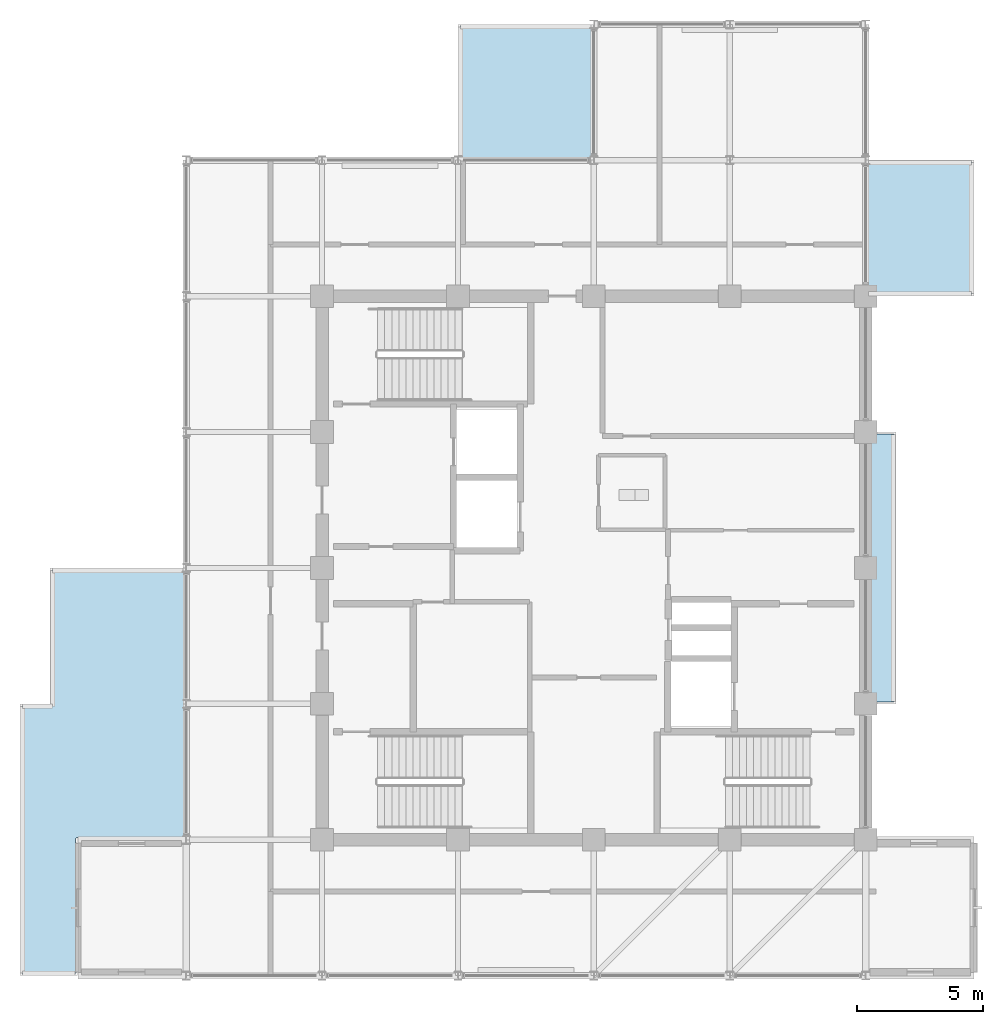
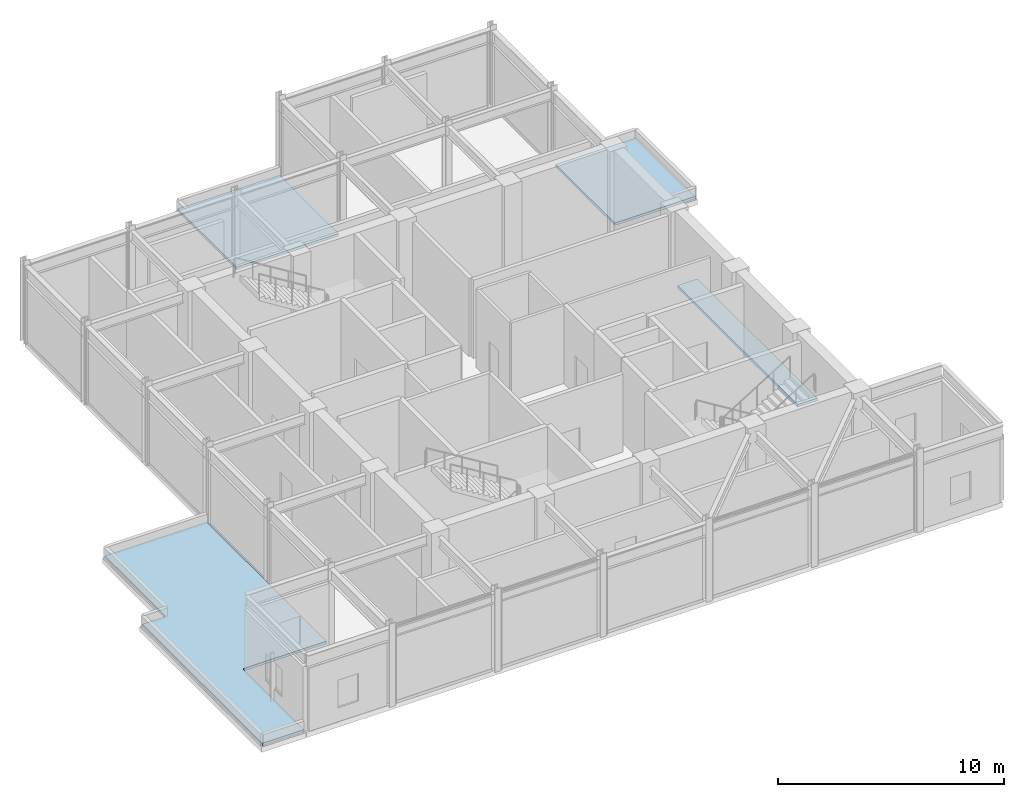
# One storey, part 15 of 18: 4 roofs.
"""IFC4 building model written with IfcOpenShell, lengths in metres."""

from ifc_helpers import new_model, si_unit, direction, frame, origin, place, context, subcontext, project, spatial, polyline, outline, extrude, material, layer, layer_set, type_object, element, save


model = new_model("IFC4")

# Units and contexts
model_context = context("Model", 3, precision=1e-05, world=origin(), true_north=direction((0.0, 1.0)))
body_context = subcontext(model_context, "Body", "Model", "MODEL_VIEW")
ifc_project = project(units=[si_unit("LENGTHUNIT", "METRE"), si_unit("AREAUNIT", "SQUARE_METRE"), si_unit("VOLUMEUNIT", "CUBIC_METRE"), si_unit("PLANEANGLEUNIT", "RADIAN"), si_unit("MASSUNIT", "GRAM", prefix="KILO")], contexts=[model_context])

# Site, building, storey
site_placement = place(None, origin())
site = spatial("IfcSite", under=ifc_project, at=site_placement, CompositionType="ELEMENT")
building_placement = place(site_placement, origin())
building = spatial("IfcBuilding", under=site, at=building_placement, Name="Surkhivell Harbour Commons", CompositionType="ELEMENT")
storey_placement = place(building_placement, frame((0.0, 0.0, 351.0)))
storey = spatial("IfcBuildingStorey", under=building, at=storey_placement, Name="L91", CompositionType="ELEMENT", Elevation=351.0)

# Roofs
ifc_material = material(Name="Vermilion-coral and saffron enamelled aluminium box roof cap", Category="aluminium")
ifc_layer = layer(ifc_material, 0.139892578125)
ifc_layer_set = layer_set([ifc_layer], Name="Vermilion-coral and saffron enamelled aluminium box roof cap")
roof_type = type_object("IfcRoofType", Name="ROF-BOX-CAP", PredefinedType="FLAT_ROOF", material=ifc_layer_set)
roof_1_placement = place(storey_placement, origin())
element("IfcRoof", 1, at=roof_1_placement, inside=storey, type_object=roof_type, Name="L91 Closed Coloured Box Roof Cap 1-1", PredefinedType="FLAT_ROOF", context=body_context, shape_type="SweptSolid", body=[
    extrude(outline(polyline([(-20.60009765625, -10.798095703125), (-20.599609375, -10.790283203125), (-20.59814453125, -10.780517578125), (-20.595703125, -10.77099609375), (-20.592529296875, -10.76171875), (-20.58837890625, -10.752685546875), (-20.583251953125, -10.744384765625), (-20.577392578125, -10.736572265625), (-20.57080078125, -10.729248046875), (-20.5634765625, -10.72265625), (-20.5556640625, -10.716796875), (-20.547119140625, -10.711669921875), (-20.538330078125, -10.70751953125), (-20.529052734375, -10.7041015625), (-20.51953125, -10.701904296875), (-20.509765625, -10.700439453125), (-20.501953125, -10.699951171875), (-16.300048828125, -10.699951171875), (-16.300048828125, -0.080078125), (-21.52001953125, -0.080078125), (-21.52001953125, -5.47998046875), (-22.719970703125, -5.47998046875), (-22.719970703125, -16.1201171875), (-20.60009765625, -16.1201171875), (-20.60009765625, -10.798095703125)])), origin(), (0.0, 0.0, 1.0), 0.139892578125),
])
roof_2_placement = place(storey_placement, origin())
element("IfcRoof", 2, at=roof_2_placement, inside=storey, type_object=roof_type, Name="L91 Closed Coloured Box Roof Cap 2-1", PredefinedType="FLAT_ROOF", context=body_context, shape_type="SweptSolid", body=[
    extrude(outline(polyline([(-0.10009765625, 16.300048828125), (-0.10009765625, 21.52001953125), (-5.320068359375, 21.52001953125), (-5.320068359375, 16.300048828125), (-0.10009765625, 16.300048828125)])), origin(), (0.0, 0.0, 1.0), 0.139892578125),
])
roof_3_placement = place(storey_placement, origin())
element("IfcRoof", 3, at=roof_3_placement, inside=storey, type_object=roof_type, Name="L91 Closed Coloured Box Roof Cap 3-1", PredefinedType="FLAT_ROOF", context=body_context, shape_type="SweptSolid", body=[
    extrude(outline(polyline([(10.89990234375, 10.8798828125), (15.02001953125, 10.8798828125), (15.02001953125, 16.1201171875), (10.89990234375, 16.1201171875), (10.89990234375, 10.8798828125)])), origin(), (0.0, 0.0, 1.0), 0.139892578125),
])
roof_4_placement = place(storey_placement, origin())
element("IfcRoof", 4, at=roof_4_placement, inside=storey, type_object=roof_type, Name="L91 Closed Coloured Box Roof Cap 4-1", PredefinedType="FLAT_ROOF", context=body_context, shape_type="SweptSolid", body=[
    extrude(outline(polyline([(10.89990234375, -5.320068359375), (11.919921875, -5.320068359375), (11.919921875, 5.320068359375), (10.89990234375, 5.320068359375), (10.89990234375, -5.320068359375)])), origin(), (0.0, 0.0, 1.0), 0.139892578125),
])

save(model, "model.ifc")
